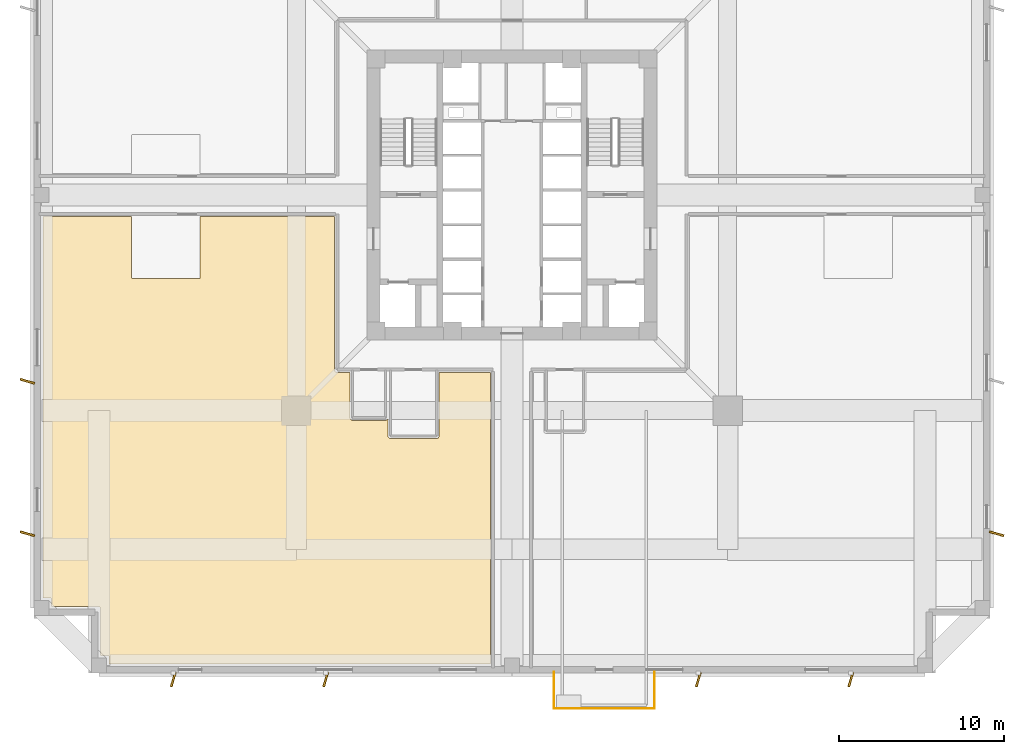
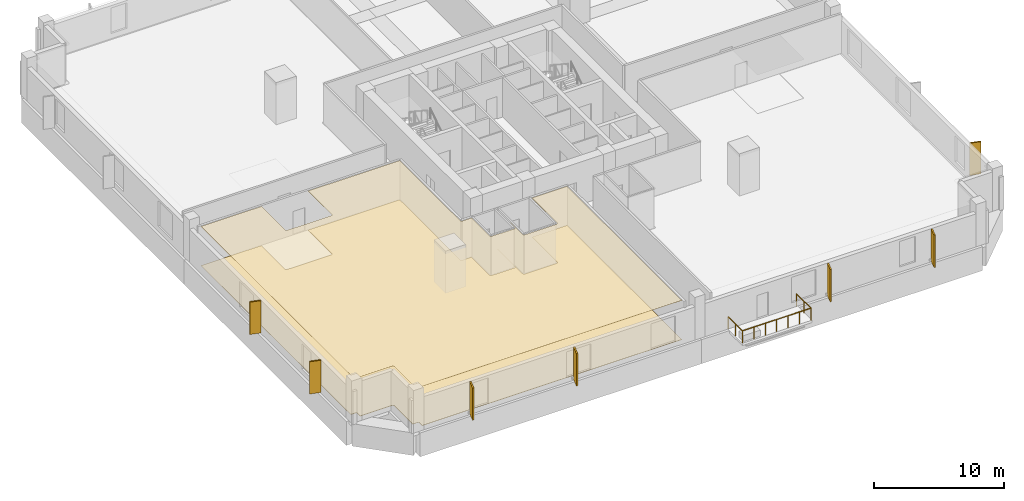
# One storey, part 6 of 9: 9 coverings, 3 railings.
"""IFC4 building model written with IfcOpenShell, lengths in metres."""

from ifc_helpers import new_model, si_unit, direction, frame, origin, origin_2d, place, context, subcontext, project, spatial, polyline, rectangle, circle, outline, extrude, source, transform, mapped, material, layer, layer_set, type_object, element, save


model = new_model("IFC4")

# Units and contexts
model_context = context("Model", 3, precision=1e-05, world=origin(), true_north=direction((0.0, 1.0)))
body_context = subcontext(model_context, "Body", "Model", "MODEL_VIEW")
ifc_project = project(units=[si_unit("LENGTHUNIT", "METRE"), si_unit("AREAUNIT", "SQUARE_METRE"), si_unit("VOLUMEUNIT", "CUBIC_METRE"), si_unit("PLANEANGLEUNIT", "RADIAN"), si_unit("MASSUNIT", "GRAM", prefix="KILO"), si_unit("THERMODYNAMICTEMPERATUREUNIT", "KELVIN")], contexts=[model_context])

# Site, building, storey
site_placement = place(None, origin())
site = spatial("IfcSite", under=ifc_project, at=site_placement, CompositionType="ELEMENT")
building_placement = place(site_placement, origin())
building = spatial("IfcBuilding", under=site, at=building_placement, Name="Kosmvard Interchange Tower", CompositionType="ELEMENT")
storey_placement = place(building_placement, frame((0.0, 0.0, 26.0)))
storey = spatial("IfcBuildingStorey", under=building, at=storey_placement, Name="L05", CompositionType="ELEMENT", Elevation=26.0)

# Coverings
ifc_material_1 = material(Name="Acoustic gypsum ceiling tile")
ifc_layer_1 = layer(ifc_material_1, 0.02490234375, Name="Acoustic gypsum ceiling tile")
ifc_layer_set_1 = layer_set([ifc_layer_1], Name="Acoustic gypsum ceiling tile")
covering_type_1 = type_object("IfcCoveringType", Name="Acoustic Perforated Suspended Ceiling 25", PredefinedType="CEILING", material=ifc_layer_set_1)
covering_1_placement = place(storey_placement, frame((0.0, 0.0, 3.695068359375)))
element("IfcCovering", 1, at=covering_1_placement, inside=storey, type_object=covering_type_1, Name="L05 Acoustic Ceiling L05-OPSW", PredefinedType="CEILING", context=body_context, shape_type="SweptSolid", body=[
    extrude(outline(polyline([(-7.48779296875, -14.710693359375), (-7.49169921875, -14.705322265625), (-7.49609375, -14.698974609375), (-7.49951171875, -14.693115234375), (-7.503173828125, -14.686279296875), (-7.506103515625, -14.680419921875), (-7.509033203125, -14.673095703125), (-7.51123046875, -14.666748046875), (-7.513671875, -14.6591796875), (-7.51513671875, -14.652587890625), (-7.516845703125, -14.64501953125), (-7.517822265625, -14.638427734375), (-7.5185546875, -14.630615234375), (-7.518798828125, -14.623779296875), (-7.518798828125, -14.6201171875), (-7.518798828125, -10.7548828125), (-7.52197265625, -10.7548828125), (-7.52197265625, -13.52001953125), (-7.522216796875, -13.52392578125), (-7.5224609375, -13.530517578125), (-7.523193359375, -13.538330078125), (-7.524169921875, -13.544921875), (-7.525634765625, -13.552734375), (-7.52734375, -13.55908203125), (-7.529541015625, -13.566650390625), (-7.531982421875, -13.572998046875), (-7.534912109375, -13.580322265625), (-7.53759765625, -13.586181640625), (-7.54150390625, -13.59326171875), (-7.544921875, -13.598876953125), (-7.54931640625, -13.60546875), (-7.55322265625, -13.61083984375), (-7.55810546875, -13.616943359375), (-7.562744140625, -13.621826171875), (-7.568115234375, -13.62744140625), (-7.572998046875, -13.6318359375), (-7.5791015625, -13.63671875), (-7.58447265625, -13.640869140625), (-7.591064453125, -13.645263671875), (-7.596923828125, -13.648681640625), (-7.603759765625, -13.65234375), (-7.60986328125, -13.655029296875), (-7.616943359375, -13.658203125), (-7.623291015625, -13.660400390625), (-7.630859375, -13.66259765625), (-7.63720703125, -13.664306640625), (-7.64501953125, -13.665771484375), (-7.651611328125, -13.666748046875), (-7.659423828125, -13.66748046875), (-7.666015625, -13.66796875), (-7.669921875, -13.66796875), (-9.669921875, -13.66796875), (-9.673828125, -13.66796875), (-9.6806640625, -13.66748046875), (-9.6884765625, -13.666748046875), (-9.695068359375, -13.665771484375), (-9.70263671875, -13.664306640625), (-9.709228515625, -13.66259765625), (-9.716796875, -13.660400390625), (-9.722900390625, -13.658203125), (-9.730224609375, -13.655029296875), (-9.736328125, -13.65234375), (-9.7431640625, -13.648681640625), (-9.748779296875, -13.645263671875), (-9.75537109375, -13.640869140625), (-9.7607421875, -13.63671875), (-9.766845703125, -13.6318359375), (-9.771728515625, -13.62744140625), (-9.77734375, -13.621826171875), (-9.78173828125, -13.616943359375), (-9.786865234375, -13.61083984375), (-9.790771484375, -13.60546875), (-9.795166015625, -13.598876953125), (-9.798583984375, -13.59326171875), (-9.80224609375, -13.586181640625), (-9.80517578125, -13.580322265625), (-9.80810546875, -13.572998046875), (-9.810302734375, -13.566650390625), (-9.812744140625, -13.55908203125), (-9.814208984375, -13.552734375), (-9.81591796875, -13.544921875), (-9.81689453125, -13.538330078125), (-9.817626953125, -13.530517578125), (-9.81787109375, -13.52392578125), (-9.818115234375, -13.52001953125), (-9.818115234375, -10.7548828125), (-10.60009765625, -10.7548828125), (-10.60400390625, -10.7548828125), (-10.611328125, -10.754638671875), (-10.619140625, -10.753662109375), (-10.62646484375, -10.752685546875), (-10.634033203125, -10.751220703125), (-10.64111328125, -10.749267578125), (-10.648681640625, -10.7470703125), (-10.65576171875, -10.74462890625), (-10.662841796875, -10.74169921875), (-10.669677734375, -10.738525390625), (-10.676513671875, -10.73486328125), (-10.6826171875, -10.73095703125), (-10.689208984375, -10.7265625), (-10.6953125, -10.72216796875), (-10.701416015625, -10.71728515625), (-10.706787109375, -10.712158203125), (-10.712158203125, -10.706787109375), (-10.71728515625, -10.701416015625), (-10.72216796875, -10.6953125), (-10.7265625, -10.689208984375), (-10.73095703125, -10.6826171875), (-10.73486328125, -10.676513671875), (-10.738525390625, -10.669677734375), (-10.74169921875, -10.662841796875), (-10.74462890625, -10.65576171875), (-10.7470703125, -10.648681640625), (-10.749267578125, -10.64111328125), (-10.751220703125, -10.634033203125), (-10.752685546875, -10.62646484375), (-10.753662109375, -10.619140625), (-10.754638671875, -10.611328125), (-10.7548828125, -10.60400390625), (-10.7548828125, -10.60009765625), (-10.7548828125, -1.304931640625), (-18.919921875, -1.304931640625), (-18.919921875, -5.0), (-18.92041015625, -5.0078125), (-18.921630859375, -5.015625), (-18.92333984375, -5.023193359375), (-18.926025390625, -5.030517578125), (-18.929443359375, -5.03759765625), (-18.93359375, -5.04443359375), (-18.938232421875, -5.05078125), (-18.943359375, -5.056640625), (-18.94921875, -5.061767578125), (-18.95556640625, -5.06640625), (-18.96240234375, -5.070556640625), (-18.969482421875, -5.073974609375), (-18.976806640625, -5.07666015625), (-18.984375, -5.078369140625), (-18.9921875, -5.07958984375), (-19.0, -5.080078125), (-23.0, -5.080078125), (-23.0078125, -5.07958984375), (-23.015625, -5.078369140625), (-23.023193359375, -5.07666015625), (-23.030517578125, -5.073974609375), (-23.03759765625, -5.070556640625), (-23.04443359375, -5.06640625), (-23.05078125, -5.061767578125), (-23.056640625, -5.056640625), (-23.061767578125, -5.05078125), (-23.06640625, -5.04443359375), (-23.070556640625, -5.03759765625), (-23.073974609375, -5.030517578125), (-23.07666015625, -5.023193359375), (-23.078369140625, -5.015625), (-23.07958984375, -5.0078125), (-23.080078125, -5.0), (-23.080078125, -1.304931640625), (-28.465087890625, -1.304931640625), (-28.465087890625, -24.43994140625), (-28.02001953125, -24.43994140625), (-28.01220703125, -24.4404296875), (-28.00439453125, -24.441650390625), (-27.996826171875, -24.443359375), (-27.989501953125, -24.446044921875), (-27.982177734375, -24.449462890625), (-27.9755859375, -24.453369140625), (-27.96923828125, -24.458251953125), (-27.96337890625, -24.46337890625), (-27.958251953125, -24.46923828125), (-27.953369140625, -24.4755859375), (-27.949462890625, -24.482177734375), (-27.946044921875, -24.489501953125), (-27.943359375, -24.496826171875), (-27.941650390625, -24.50439453125), (-27.9404296875, -24.51220703125), (-27.93994140625, -24.52001953125), (-27.93994140625, -24.965087890625), (-25.1201171875, -24.965087890625), (-25.1162109375, -24.965087890625), (-25.108642578125, -24.965576171875), (-25.100830078125, -24.96630859375), (-25.09375, -24.96728515625), (-25.0859375, -24.96875), (-25.078857421875, -24.970703125), (-25.0712890625, -24.972900390625), (-25.064453125, -24.975341796875), (-25.05712890625, -24.978515625), (-25.05029296875, -24.9814453125), (-25.043701171875, -24.985107421875), (-25.037353515625, -24.989013671875), (-25.03076171875, -24.993408203125), (-25.02490234375, -24.997802734375), (-25.0185546875, -25.002685546875), (-25.01318359375, -25.0078125), (-25.0078125, -25.01318359375), (-25.002685546875, -25.0185546875), (-24.997802734375, -25.02490234375), (-24.993408203125, -25.03076171875), (-24.989013671875, -25.037353515625), (-24.985107421875, -25.043701171875), (-24.9814453125, -25.05029296875), (-24.978515625, -25.05712890625), (-24.975341796875, -25.064453125), (-24.972900390625, -25.0712890625), (-24.970703125, -25.078857421875), (-24.96875, -25.0859375), (-24.96728515625, -25.09375), (-24.96630859375, -25.100830078125), (-24.965576171875, -25.108642578125), (-24.965087890625, -25.1162109375), (-24.965087890625, -25.1201171875), (-24.965087890625, -27.93994140625), (-24.52001953125, -27.93994140625), (-24.51220703125, -27.9404296875), (-24.50439453125, -27.941650390625), (-24.496826171875, -27.943359375), (-24.489501953125, -27.946044921875), (-24.482177734375, -27.949462890625), (-24.4755859375, -27.953369140625), (-24.46923828125, -27.958251953125), (-24.46337890625, -27.96337890625), (-24.458251953125, -27.96923828125), (-24.453369140625, -27.9755859375), (-24.449462890625, -27.982177734375), (-24.446044921875, -27.989501953125), (-24.443359375, -27.996826171875), (-24.441650390625, -28.00439453125), (-24.4404296875, -28.01220703125), (-24.43994140625, -28.02001953125), (-24.43994140625, -28.465087890625), (-1.304931640625, -28.465087890625), (-1.304931640625, -10.7548828125), (-4.4228515625, -10.7548828125), (-4.4228515625, -14.6201171875), (-4.423095703125, -14.6240234375), (-4.42333984375, -14.630615234375), (-4.424072265625, -14.638427734375), (-4.425048828125, -14.64501953125), (-4.426513671875, -14.652587890625), (-4.42822265625, -14.6591796875), (-4.430419921875, -14.666748046875), (-4.432861328125, -14.673095703125), (-4.435791015625, -14.68017578125), (-4.438720703125, -14.686279296875), (-4.4423828125, -14.693115234375), (-4.44580078125, -14.698974609375), (-4.4501953125, -14.70556640625), (-4.4541015625, -14.7109375), (-4.458984375, -14.716796875), (-4.463623046875, -14.721923828125), (-4.468994140625, -14.727294921875), (-4.47412109375, -14.73193359375), (-4.47998046875, -14.73681640625), (-4.4853515625, -14.74072265625), (-4.491943359375, -14.7451171875), (-4.497802734375, -14.74853515625), (-4.504638671875, -14.752197265625), (-4.5107421875, -14.755126953125), (-4.517822265625, -14.758056640625), (-4.524169921875, -14.760498046875), (-4.53173828125, -14.7626953125), (-4.538330078125, -14.764404296875), (-4.5458984375, -14.765869140625), (-4.552490234375, -14.766845703125), (-4.560302734375, -14.767578125), (-4.56689453125, -14.767822265625), (-4.57080078125, -14.76806640625), (-7.370849609375, -14.76806640625), (-7.374755859375, -14.767822265625), (-7.381591796875, -14.767578125), (-7.389404296875, -14.766845703125), (-7.39599609375, -14.765869140625), (-7.403564453125, -14.764404296875), (-7.41015625, -14.7626953125), (-7.41748046875, -14.760498046875), (-7.423828125, -14.758056640625), (-7.43115234375, -14.755126953125), (-7.437255859375, -14.752197265625), (-7.444091796875, -14.74853515625), (-7.449951171875, -14.7451171875), (-7.456298828125, -14.74072265625), (-7.461669921875, -14.73681640625), (-7.4677734375, -14.73193359375), (-7.47265625, -14.727294921875), (-7.478271484375, -14.721923828125), (-7.482666015625, -14.716796875), (-7.48779296875, -14.710693359375)])), origin(), (0.0, 0.0, 1.0), 0.02490234375),
])
ifc_material_2 = material(Name="Polished terrazzo flooring")
ifc_layer_2 = layer(ifc_material_2, 0.030029296875, Name="Polished terrazzo flooring")
ifc_layer_set_2 = layer_set([ifc_layer_2], Name="Polished terrazzo flooring")
covering_type_2 = type_object("IfcCoveringType", Name="Heavy-Duty Terrazzo & Porcelain Flooring 30", PredefinedType="FLOORING", material=ifc_layer_set_2)
covering_2_placement = place(storey_placement, origin())
element("IfcCovering", 2, at=covering_2_placement, inside=storey, type_object=covering_type_2, Name="L05 Floor Finish L05-OPSW", PredefinedType="FLOORING", context=body_context, shape_type="SweptSolid", body=[
    extrude(outline(polyline([(-7.48779296875, -14.710693359375), (-7.49169921875, -14.705322265625), (-7.49609375, -14.698974609375), (-7.49951171875, -14.693115234375), (-7.503173828125, -14.686279296875), (-7.506103515625, -14.680419921875), (-7.509033203125, -14.673095703125), (-7.51123046875, -14.666748046875), (-7.513671875, -14.6591796875), (-7.51513671875, -14.652587890625), (-7.516845703125, -14.64501953125), (-7.517822265625, -14.638427734375), (-7.5185546875, -14.630615234375), (-7.518798828125, -14.623779296875), (-7.518798828125, -14.6201171875), (-7.518798828125, -10.7548828125), (-7.52197265625, -10.7548828125), (-7.52197265625, -13.52001953125), (-7.522216796875, -13.52392578125), (-7.5224609375, -13.530517578125), (-7.523193359375, -13.538330078125), (-7.524169921875, -13.544921875), (-7.525634765625, -13.552734375), (-7.52734375, -13.55908203125), (-7.529541015625, -13.566650390625), (-7.531982421875, -13.572998046875), (-7.534912109375, -13.580322265625), (-7.53759765625, -13.586181640625), (-7.54150390625, -13.59326171875), (-7.544921875, -13.598876953125), (-7.54931640625, -13.60546875), (-7.55322265625, -13.61083984375), (-7.55810546875, -13.616943359375), (-7.562744140625, -13.621826171875), (-7.568115234375, -13.62744140625), (-7.572998046875, -13.6318359375), (-7.5791015625, -13.63671875), (-7.58447265625, -13.640869140625), (-7.591064453125, -13.645263671875), (-7.596923828125, -13.648681640625), (-7.603759765625, -13.65234375), (-7.60986328125, -13.655029296875), (-7.616943359375, -13.658203125), (-7.623291015625, -13.660400390625), (-7.630859375, -13.66259765625), (-7.63720703125, -13.664306640625), (-7.64501953125, -13.665771484375), (-7.651611328125, -13.666748046875), (-7.659423828125, -13.66748046875), (-7.666015625, -13.66796875), (-7.669921875, -13.66796875), (-9.669921875, -13.66796875), (-9.673828125, -13.66796875), (-9.6806640625, -13.66748046875), (-9.6884765625, -13.666748046875), (-9.695068359375, -13.665771484375), (-9.70263671875, -13.664306640625), (-9.709228515625, -13.66259765625), (-9.716796875, -13.660400390625), (-9.722900390625, -13.658203125), (-9.730224609375, -13.655029296875), (-9.736328125, -13.65234375), (-9.7431640625, -13.648681640625), (-9.748779296875, -13.645263671875), (-9.75537109375, -13.640869140625), (-9.7607421875, -13.63671875), (-9.766845703125, -13.6318359375), (-9.771728515625, -13.62744140625), (-9.77734375, -13.621826171875), (-9.78173828125, -13.616943359375), (-9.786865234375, -13.61083984375), (-9.790771484375, -13.60546875), (-9.795166015625, -13.598876953125), (-9.798583984375, -13.59326171875), (-9.80224609375, -13.586181640625), (-9.80517578125, -13.580322265625), (-9.80810546875, -13.572998046875), (-9.810302734375, -13.566650390625), (-9.812744140625, -13.55908203125), (-9.814208984375, -13.552734375), (-9.81591796875, -13.544921875), (-9.81689453125, -13.538330078125), (-9.817626953125, -13.530517578125), (-9.81787109375, -13.52392578125), (-9.818115234375, -13.52001953125), (-9.818115234375, -10.7548828125), (-10.60009765625, -10.7548828125), (-10.60400390625, -10.7548828125), (-10.611328125, -10.754638671875), (-10.619140625, -10.753662109375), (-10.62646484375, -10.752685546875), (-10.634033203125, -10.751220703125), (-10.64111328125, -10.749267578125), (-10.648681640625, -10.7470703125), (-10.65576171875, -10.74462890625), (-10.662841796875, -10.74169921875), (-10.669677734375, -10.738525390625), (-10.676513671875, -10.73486328125), (-10.6826171875, -10.73095703125), (-10.689208984375, -10.7265625), (-10.6953125, -10.72216796875), (-10.701416015625, -10.71728515625), (-10.706787109375, -10.712158203125), (-10.712158203125, -10.706787109375), (-10.71728515625, -10.701416015625), (-10.72216796875, -10.6953125), (-10.7265625, -10.689208984375), (-10.73095703125, -10.6826171875), (-10.73486328125, -10.676513671875), (-10.738525390625, -10.669677734375), (-10.74169921875, -10.662841796875), (-10.74462890625, -10.65576171875), (-10.7470703125, -10.648681640625), (-10.749267578125, -10.64111328125), (-10.751220703125, -10.634033203125), (-10.752685546875, -10.62646484375), (-10.753662109375, -10.619140625), (-10.754638671875, -10.611328125), (-10.7548828125, -10.60400390625), (-10.7548828125, -10.60009765625), (-10.7548828125, -1.304931640625), (-18.919921875, -1.304931640625), (-18.919921875, -5.0), (-18.92041015625, -5.0078125), (-18.921630859375, -5.015625), (-18.92333984375, -5.023193359375), (-18.926025390625, -5.030517578125), (-18.929443359375, -5.03759765625), (-18.93359375, -5.04443359375), (-18.938232421875, -5.05078125), (-18.943359375, -5.056640625), (-18.94921875, -5.061767578125), (-18.95556640625, -5.06640625), (-18.96240234375, -5.070556640625), (-18.969482421875, -5.073974609375), (-18.976806640625, -5.07666015625), (-18.984375, -5.078369140625), (-18.9921875, -5.07958984375), (-19.0, -5.080078125), (-23.0, -5.080078125), (-23.0078125, -5.07958984375), (-23.015625, -5.078369140625), (-23.023193359375, -5.07666015625), (-23.030517578125, -5.073974609375), (-23.03759765625, -5.070556640625), (-23.04443359375, -5.06640625), (-23.05078125, -5.061767578125), (-23.056640625, -5.056640625), (-23.061767578125, -5.05078125), (-23.06640625, -5.04443359375), (-23.070556640625, -5.03759765625), (-23.073974609375, -5.030517578125), (-23.07666015625, -5.023193359375), (-23.078369140625, -5.015625), (-23.07958984375, -5.0078125), (-23.080078125, -5.0), (-23.080078125, -1.304931640625), (-28.465087890625, -1.304931640625), (-28.465087890625, -24.43994140625), (-28.02001953125, -24.43994140625), (-28.01220703125, -24.4404296875), (-28.00439453125, -24.441650390625), (-27.996826171875, -24.443359375), (-27.989501953125, -24.446044921875), (-27.982177734375, -24.449462890625), (-27.9755859375, -24.453369140625), (-27.96923828125, -24.458251953125), (-27.96337890625, -24.46337890625), (-27.958251953125, -24.46923828125), (-27.953369140625, -24.4755859375), (-27.949462890625, -24.482177734375), (-27.946044921875, -24.489501953125), (-27.943359375, -24.496826171875), (-27.941650390625, -24.50439453125), (-27.9404296875, -24.51220703125), (-27.93994140625, -24.52001953125), (-27.93994140625, -24.965087890625), (-25.1201171875, -24.965087890625), (-25.1162109375, -24.965087890625), (-25.108642578125, -24.965576171875), (-25.100830078125, -24.96630859375), (-25.09375, -24.96728515625), (-25.0859375, -24.96875), (-25.078857421875, -24.970703125), (-25.0712890625, -24.972900390625), (-25.064453125, -24.975341796875), (-25.05712890625, -24.978515625), (-25.05029296875, -24.9814453125), (-25.043701171875, -24.985107421875), (-25.037353515625, -24.989013671875), (-25.03076171875, -24.993408203125), (-25.02490234375, -24.997802734375), (-25.0185546875, -25.002685546875), (-25.01318359375, -25.0078125), (-25.0078125, -25.01318359375), (-25.002685546875, -25.0185546875), (-24.997802734375, -25.02490234375), (-24.993408203125, -25.03076171875), (-24.989013671875, -25.037353515625), (-24.985107421875, -25.043701171875), (-24.9814453125, -25.05029296875), (-24.978515625, -25.05712890625), (-24.975341796875, -25.064453125), (-24.972900390625, -25.0712890625), (-24.970703125, -25.078857421875), (-24.96875, -25.0859375), (-24.96728515625, -25.09375), (-24.96630859375, -25.100830078125), (-24.965576171875, -25.108642578125), (-24.965087890625, -25.1162109375), (-24.965087890625, -25.1201171875), (-24.965087890625, -27.93994140625), (-24.52001953125, -27.93994140625), (-24.51220703125, -27.9404296875), (-24.50439453125, -27.941650390625), (-24.496826171875, -27.943359375), (-24.489501953125, -27.946044921875), (-24.482177734375, -27.949462890625), (-24.4755859375, -27.953369140625), (-24.46923828125, -27.958251953125), (-24.46337890625, -27.96337890625), (-24.458251953125, -27.96923828125), (-24.453369140625, -27.9755859375), (-24.449462890625, -27.982177734375), (-24.446044921875, -27.989501953125), (-24.443359375, -27.996826171875), (-24.441650390625, -28.00439453125), (-24.4404296875, -28.01220703125), (-24.43994140625, -28.02001953125), (-24.43994140625, -28.465087890625), (-1.304931640625, -28.465087890625), (-1.304931640625, -10.7548828125), (-4.4228515625, -10.7548828125), (-4.4228515625, -14.6201171875), (-4.423095703125, -14.6240234375), (-4.42333984375, -14.630615234375), (-4.424072265625, -14.638427734375), (-4.425048828125, -14.64501953125), (-4.426513671875, -14.652587890625), (-4.42822265625, -14.6591796875), (-4.430419921875, -14.666748046875), (-4.432861328125, -14.673095703125), (-4.435791015625, -14.68017578125), (-4.438720703125, -14.686279296875), (-4.4423828125, -14.693115234375), (-4.44580078125, -14.698974609375), (-4.4501953125, -14.70556640625), (-4.4541015625, -14.7109375), (-4.458984375, -14.716796875), (-4.463623046875, -14.721923828125), (-4.468994140625, -14.727294921875), (-4.47412109375, -14.73193359375), (-4.47998046875, -14.73681640625), (-4.4853515625, -14.74072265625), (-4.491943359375, -14.7451171875), (-4.497802734375, -14.74853515625), (-4.504638671875, -14.752197265625), (-4.5107421875, -14.755126953125), (-4.517822265625, -14.758056640625), (-4.524169921875, -14.760498046875), (-4.53173828125, -14.7626953125), (-4.538330078125, -14.764404296875), (-4.5458984375, -14.765869140625), (-4.552490234375, -14.766845703125), (-4.560302734375, -14.767578125), (-4.56689453125, -14.767822265625), (-4.57080078125, -14.76806640625), (-7.370849609375, -14.76806640625), (-7.374755859375, -14.767822265625), (-7.381591796875, -14.767578125), (-7.389404296875, -14.766845703125), (-7.39599609375, -14.765869140625), (-7.403564453125, -14.764404296875), (-7.41015625, -14.7626953125), (-7.41748046875, -14.760498046875), (-7.423828125, -14.758056640625), (-7.43115234375, -14.755126953125), (-7.437255859375, -14.752197265625), (-7.444091796875, -14.74853515625), (-7.449951171875, -14.7451171875), (-7.456298828125, -14.74072265625), (-7.461669921875, -14.73681640625), (-7.4677734375, -14.73193359375), (-7.47265625, -14.727294921875), (-7.478271484375, -14.721923828125), (-7.482666015625, -14.716796875), (-7.48779296875, -14.710693359375)])), origin(), (0.0, 0.0, 1.0), 0.030029296875),
])

# Railings
ifc_material_3 = material(Name="Steel S355", Category="steel")
railing_type = type_object("IfcRailingType", Name="Observation & Balcony Glass-Infill Balustrade 1150", PredefinedType="BALUSTRADE", material=ifc_material_3)
shared_shape_1 = source(origin(), body_context, "Body", "SweptSolid", [
    extrude(circle(Radius=0.02392578125, at=origin_2d()), frame((0.0, 0.0, 1.1259765625), z_axis=(0.0, -1.0, 0.0), x_axis=(1.0, 0.0, 0.0)), (0.0, 0.0, 1.0), 2.199951171875),
    extrude(circle(Radius=0.02099609375, at=origin_2d()), origin(), (0.0, 0.0, 1.0), 1.101806640625),
    extrude(circle(Radius=0.02099609375, at=origin_2d()), frame((0.0, -1.10009765625, 0.0)), (0.0, 0.0, 1.0), 1.101806640625),
    extrude(circle(Radius=0.02099609375, at=origin_2d()), frame((0.0, -2.199951171875, 0.0)), (0.0, 0.0, 1.0), 1.101806640625),
])
railing_1_placement = place(storey_placement, frame((2.550048828125, -28.949951171875, 0.0)))
element("IfcRailing", 3, at=railing_1_placement, inside=storey, type_object=railing_type, Name="L05 Outdoor Terrace Guard BAL-L05-SW-A", PredefinedType="BALUSTRADE", context=body_context, shape_type="MappedRepresentation", body=[
    mapped(shared_shape_1, transform((0.0, 0.0, 0.0), scale=1.0)),
])
shared_shape_2 = source(origin(), body_context, "Body", "SweptSolid", [
    extrude(circle(Radius=0.02392578125, at=origin_2d()), frame((0.0, 0.0, 1.1259765625), z_axis=(1.0, 0.0, 0.0), x_axis=(0.0, 1.0, 0.0)), (0.0, 0.0, 1.0), 6.099853515625),
    extrude(circle(Radius=0.02099609375, at=origin_2d()), origin(), (0.0, 0.0, 1.0), 1.101806640625),
    extrude(circle(Radius=0.02099609375, at=origin_2d()), frame((1.0166015625, 0.0, 0.0)), (0.0, 0.0, 1.0), 1.101806640625),
    extrude(circle(Radius=0.02099609375, at=origin_2d()), frame((2.033203125, 0.0, 0.0)), (0.0, 0.0, 1.0), 1.101806640625),
    extrude(circle(Radius=0.02099609375, at=origin_2d()), frame((3.0498046875, 0.0, 0.0)), (0.0, 0.0, 1.0), 1.101806640625),
    extrude(circle(Radius=0.02099609375, at=origin_2d()), frame((4.066650390625, 0.0, 0.0)), (0.0, 0.0, 1.0), 1.101806640625),
    extrude(circle(Radius=0.02099609375, at=origin_2d()), frame((5.083251953125, 0.0, 0.0)), (0.0, 0.0, 1.0), 1.101806640625),
    extrude(circle(Radius=0.02099609375, at=origin_2d()), frame((6.099853515625, 0.0, 0.0)), (0.0, 0.0, 1.0), 1.101806640625),
])
railing_2_placement = place(storey_placement, frame((2.550048828125, -31.14990234375, 0.0)))
element("IfcRailing", 4, at=railing_2_placement, inside=storey, type_object=railing_type, Name="L05 Outdoor Terrace Guard BAL-L05-SW-B", PredefinedType="BALUSTRADE", context=body_context, shape_type="MappedRepresentation", body=[
    mapped(shared_shape_2, transform((0.0, 0.0, 0.0), scale=1.0)),
])
shared_shape_3 = source(origin(), body_context, "Body", "SweptSolid", [
    extrude(circle(Radius=0.02392578125, at=origin_2d()), frame((0.0, 0.0, 1.1259765625), z_axis=(0.0, 1.0, 0.0), x_axis=(-1.0, 0.0, 0.0)), (0.0, 0.0, 1.0), 2.199951171875),
    extrude(circle(Radius=0.02099609375, at=origin_2d()), origin(), (0.0, 0.0, 1.0), 1.101806640625),
    extrude(circle(Radius=0.02099609375, at=origin_2d()), frame((0.0, 1.10009765625, 0.0)), (0.0, 0.0, 1.0), 1.101806640625),
    extrude(circle(Radius=0.02099609375, at=origin_2d()), frame((0.0, 2.199951171875, 0.0)), (0.0, 0.0, 1.0), 1.101806640625),
])
railing_3_placement = place(storey_placement, frame((8.64990234375, -31.14990234375, 0.0)))
element("IfcRailing", 5, at=railing_3_placement, inside=storey, type_object=railing_type, Name="L05 Outdoor Terrace Guard BAL-L05-SW-C", PredefinedType="BALUSTRADE", context=body_context, shape_type="MappedRepresentation", body=[
    mapped(shared_shape_3, transform((0.0, 0.0, 0.0), scale=1.0)),
])

# Coverings
ifc_material_4 = material(Name="Architectural anodised aluminium", Category="aluminium")
ifc_layer_3 = layer(ifc_material_4, 0.1201171875, Name="Architectural anodised aluminium")
ifc_layer_set_3 = layer_set([ifc_layer_3], Name="Architectural anodised aluminium")
covering_type_3 = type_object("IfcCoveringType", Name="Rotating Vertical Sun-Breaker Fin 900x120 Aluminium", PredefinedType="CLADDING", material=ifc_layer_set_3)
shared_shape_4 = source(origin(), body_context, "Body", "SweptSolid", [
    extrude(rectangle(XDim=0.89990234375, YDim=0.1201171875, at=origin_2d()), origin(), (0.0, 0.0, 1.0), 3.0400390625),
])
for number, where, z_axis, x_axis, name in (
    (6, (-20.552001953125, -29.39990234375, 0.0400390625), (0.0, 0.0, 1.0), (-0.275637355817, -0.961261695938, 0.0), "L05 Rotating Vertical Sun-Breaker Fin 01"),
    (7, (-11.3037109375, -29.39990234375, 0.0400390625), (0.0, 0.0, 1.0), (-0.275637355817, -0.961261695938, 0.0), "L05 Rotating Vertical Sun-Breaker Fin 02"),
    (8, (11.3037109375, -29.39990234375, 0.0400390625), (0.0, 0.0, 1.0), (-0.275637355817, -0.961261695938, 0.0), "L05 Rotating Vertical Sun-Breaker Fin 03"),
    (9, (20.552001953125, -29.39990234375, 0.0400390625), (0.0, 0.0, 1.0), (-0.275637355817, -0.961261695938, 0.0), "L05 Rotating Vertical Sun-Breaker Fin 04"),
    (10, (29.39990234375, -20.552001953125, 0.0400390625), (0.0, 0.0, 1.0), (0.961261695938, -0.275637355817, 0.0), "L05 Rotating Vertical Sun-Breaker Fin 05"),
    (11, (-29.39990234375, -11.3037109375, 0.0400390625), (0.0, 0.0, 1.0), (-0.961261695938, 0.275637355817, 0.0), "L05 Rotating Vertical Sun-Breaker Fin 15"),
    (12, (-29.39990234375, -20.552001953125, 0.0400390625), (0.0, 0.0, 1.0), (-0.961261695938, 0.275637355817, 0.0), "L05 Rotating Vertical Sun-Breaker Fin 16"),
):
    element("IfcCovering", number, at=place(storey_placement, frame(where, z_axis=z_axis, x_axis=x_axis)), inside=storey, type_object=covering_type_3, Name=name, PredefinedType="CLADDING", context=body_context, shape_type="MappedRepresentation", body=[
        mapped(shared_shape_4, transform((0.0, 0.0, 0.0), scale=1.0)),
    ])

save(model, "model.ifc")
